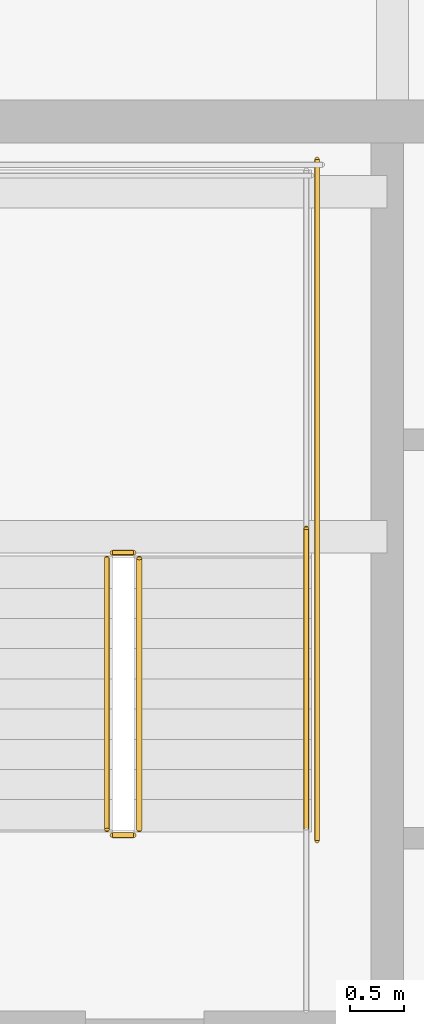
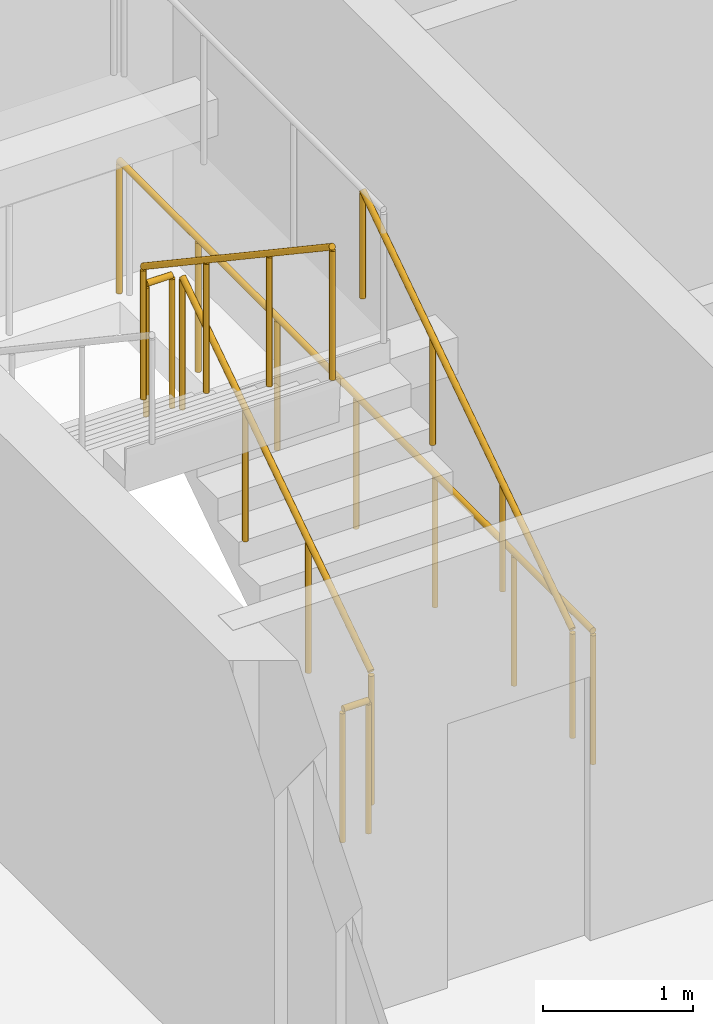
# One storey, part 31 of 34: 6 railings.
"""IFC4 building model written with IfcOpenShell, lengths in metres."""

from ifc_helpers import new_model, si_unit, direction, frame, origin, origin_2d, place, context, subcontext, project, spatial, circle, extrude, material, type_object, element, save


model = new_model("IFC4")

# Units and contexts
model_context = context("Model", 3, precision=1e-05, world=origin(), true_north=direction((0.0, 1.0)))
body_context = subcontext(model_context, "Body", "Model", "MODEL_VIEW")
ifc_project = project(units=[si_unit("LENGTHUNIT", "METRE"), si_unit("AREAUNIT", "SQUARE_METRE"), si_unit("VOLUMEUNIT", "CUBIC_METRE"), si_unit("PLANEANGLEUNIT", "RADIAN"), si_unit("MASSUNIT", "GRAM", prefix="KILO")], contexts=[model_context])

# Site, building, storey
site_placement = place(None, origin())
site = spatial("IfcSite", under=ifc_project, at=site_placement, CompositionType="ELEMENT")
building_placement = place(site_placement, origin())
building = spatial("IfcBuilding", under=site, at=building_placement, Name="Serunith Strait Residences", CompositionType="ELEMENT")
storey_placement = place(building_placement, frame((0.0, 0.0, 142.64990234375)))
storey = spatial("IfcBuildingStorey", under=building, at=storey_placement, Name="L35", CompositionType="ELEMENT", Elevation=142.64990234375)

# Railings
ifc_material = material(Name="Brushed stainless steel 316L", Category="steel")
railing_type_1 = type_object("IfcRailingType", Name="RLG-STAIR-GUARD", PredefinedType="BALUSTRADE", material=ifc_material)
railing_1_placement = place(storey_placement, frame((25.550048828125, 27.030029296875, 0.1875)))
element("IfcRailing", 1, at=railing_1_placement, inside=storey, type_object=railing_type_1, Name="L35 ST-1 stair guard 1", PredefinedType="BALUSTRADE", context=body_context, shape_type="SweptSolid", body=[
    extrude(circle(Radius=0.02392578125, at=origin_2d()), frame((0.0, 0.001708984375, 1.0771484375), z_axis=(0.0, 0.830909170722, 0.55640807867), x_axis=(-1.0, 0.0, 0.0)), (0.0, 0.0, 1.0), 3.02880859375),
    extrude(circle(Radius=0.02099609375, at=origin_2d()), origin(), (0.0, 0.0, 1.0), 1.050048828125),
    extrude(circle(Radius=0.02099609375, at=origin_2d()), frame((0.0, 0.840087890625, 0.5625)), (0.0, 0.0, 1.0), 1.050048828125),
    extrude(circle(Radius=0.02099609375, at=origin_2d()), frame((0.0, 1.679931640625, 1.125)), (0.0, 0.0, 1.0), 1.050048828125),
    extrude(circle(Radius=0.02099609375, at=origin_2d()), frame((0.0, 2.52001953125, 1.6875)), (0.0, 0.0, 1.0), 1.050048828125),
])
railing_2_placement = place(storey_placement, frame((25.5, 29.60009765625, 1.875)))
element("IfcRailing", 2, at=railing_2_placement, inside=storey, type_object=railing_type_1, Name="L35 ST-1 stair guard 2", PredefinedType="BALUSTRADE", context=body_context, shape_type="SweptSolid", body=[
    extrude(circle(Radius=0.02392578125, at=origin_2d()), frame((-0.001953125, 0.0, 1.076171875), z_axis=(-1.0, 0.0, 0.0), x_axis=(0.0, -1.0, 0.0)), (0.0, 0.0, 1.0), 0.196044921875),
    extrude(circle(Radius=0.02099609375, at=origin_2d()), origin(), (0.0, 0.0, 1.0), 1.050048828125),
    extrude(circle(Radius=0.02099609375, at=origin_2d()), frame((-0.199951171875, 0.0, 0.0)), (0.0, 0.0, 1.0), 1.050048828125),
])
railing_3_placement = place(storey_placement, frame((25.25, 29.550048828125, 2.0625)))
element("IfcRailing", 3, at=railing_3_placement, inside=storey, type_object=railing_type_1, Name="L35 ST-1 stair guard 6", PredefinedType="BALUSTRADE", context=body_context, shape_type="SweptSolid", body=[
    extrude(circle(Radius=0.02392578125, at=origin_2d()), frame((0.0, -0.001708984375, 1.0771484375), z_axis=(0.0, -0.830909170722, 0.55640807867), x_axis=(1.0, 0.0, 0.0)), (0.0, 0.0, 1.0), 3.02880859375),
    extrude(circle(Radius=0.02099609375, at=origin_2d()), origin(), (0.0, 0.0, 1.0), 1.050048828125),
    extrude(circle(Radius=0.02099609375, at=origin_2d()), frame((0.0, -0.840087890625, 0.5625)), (0.0, 0.0, 1.0), 1.050048828125),
    extrude(circle(Radius=0.02099609375, at=origin_2d()), frame((0.0, -1.679931640625, 1.125)), (0.0, 0.0, 1.0), 1.050048828125),
    extrude(circle(Radius=0.02099609375, at=origin_2d()), frame((0.0, -2.52001953125, 1.6875)), (0.0, 0.0, 1.0), 1.050048828125),
])
railing_4_placement = place(storey_placement, frame((25.5, 26.97998046875, 0.0)))
element("IfcRailing", 4, at=railing_4_placement, inside=storey, type_object=railing_type_1, Name="L35 ST-1 stair guard 7", PredefinedType="BALUSTRADE", context=body_context, shape_type="SweptSolid", body=[
    extrude(circle(Radius=0.02392578125, at=origin_2d()), frame((-0.001953125, 0.0, 1.076171875), z_axis=(-1.0, 0.0, 0.0), x_axis=(0.0, -1.0, 0.0)), (0.0, 0.0, 1.0), 0.196044921875),
    extrude(circle(Radius=0.02099609375, at=origin_2d()), origin(), (0.0, 0.0, 1.0), 1.050048828125),
    extrude(circle(Radius=0.02099609375, at=origin_2d()), frame((-0.199951171875, 0.0, 0.0)), (0.0, 0.0, 1.0), 1.050048828125),
])
railing_5_placement = place(storey_placement, frame((27.199951171875, 26.929931640625, 0.0)))
element("IfcRailing", 5, at=railing_5_placement, inside=storey, type_object=railing_type_1, Name="L35 ST-1 stair guard 10", PredefinedType="BALUSTRADE", context=body_context, shape_type="SweptSolid", body=[
    extrude(circle(Radius=0.02392578125, at=origin_2d()), frame((0.0, 0.001953125, 1.076171875), z_axis=(0.0, 1.0, 0.0), x_axis=(-1.0, 0.0, 0.0)), (0.0, 0.0, 1.0), 6.316162109375),
    extrude(circle(Radius=0.02099609375, at=origin_2d()), origin(), (0.0, 0.0, 1.0), 1.050048828125),
    extrude(circle(Radius=0.02099609375, at=origin_2d()), frame((0.0, 1.05322265625, 0.0)), (0.0, 0.0, 1.0), 1.050048828125),
    extrude(circle(Radius=0.02099609375, at=origin_2d()), frame((0.0, 2.106689453125, 0.0)), (0.0, 0.0, 1.0), 1.050048828125),
    extrude(circle(Radius=0.02099609375, at=origin_2d()), frame((0.0, 3.16015625, 0.0)), (0.0, 0.0, 1.0), 1.050048828125),
    extrude(circle(Radius=0.02099609375, at=origin_2d()), frame((0.0, 4.21337890625, 0.0)), (0.0, 0.0, 1.0), 1.050048828125),
    extrude(circle(Radius=0.02099609375, at=origin_2d()), frame((0.0, 5.2666015625, 0.0)), (0.0, 0.0, 1.0), 1.050048828125),
    extrude(circle(Radius=0.02099609375, at=origin_2d()), frame((0.0, 6.320068359375, 0.0)), (0.0, 0.0, 1.0), 1.050048828125),
])
railing_type_2 = type_object("IfcRailingType", Name="RLG-STAIR-HR", PredefinedType="HANDRAIL", material=ifc_material)
railing_6_placement = place(storey_placement, frame((27.10009765625, 27.030029296875, 0.1875)))
element("IfcRailing", 6, at=railing_6_placement, inside=storey, type_object=railing_type_2, Name="L35 ST-1 stair handrail 1", PredefinedType="HANDRAIL", context=body_context, shape_type="SweptSolid", body=[
    extrude(circle(Radius=0.02392578125, at=origin_2d()), frame((0.0, 0.001708984375, 0.876953125), z_axis=(0.0, 0.830208209119, 0.557453432594), x_axis=(-1.0, 0.0, 0.0)), (0.0, 0.0, 1.0), 3.36865234375),
    extrude(circle(Radius=0.02099609375, at=origin_2d()), origin(), (0.0, 0.0, 1.0), 0.849853515625),
    extrude(circle(Radius=0.02099609375, at=origin_2d()), frame((0.0, 0.933349609375, 0.626708984375)), (0.0, 0.0, 1.0), 0.849853515625),
    extrude(circle(Radius=0.02099609375, at=origin_2d()), frame((0.0, 1.86669921875, 1.25341796875)), (0.0, 0.0, 1.0), 0.849853515625),
    extrude(circle(Radius=0.02099609375, at=origin_2d()), frame((0.0, 2.800048828125, 1.880126953125)), (0.0, 0.0, 1.0), 0.849853515625),
])

save(model, "model.ifc")
